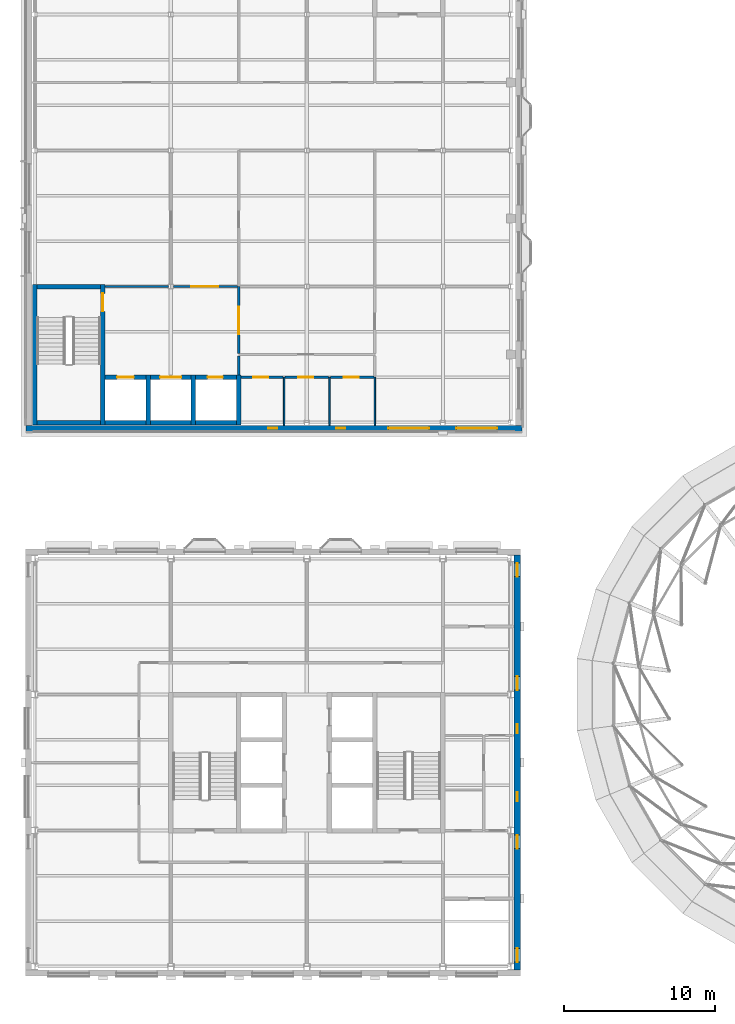
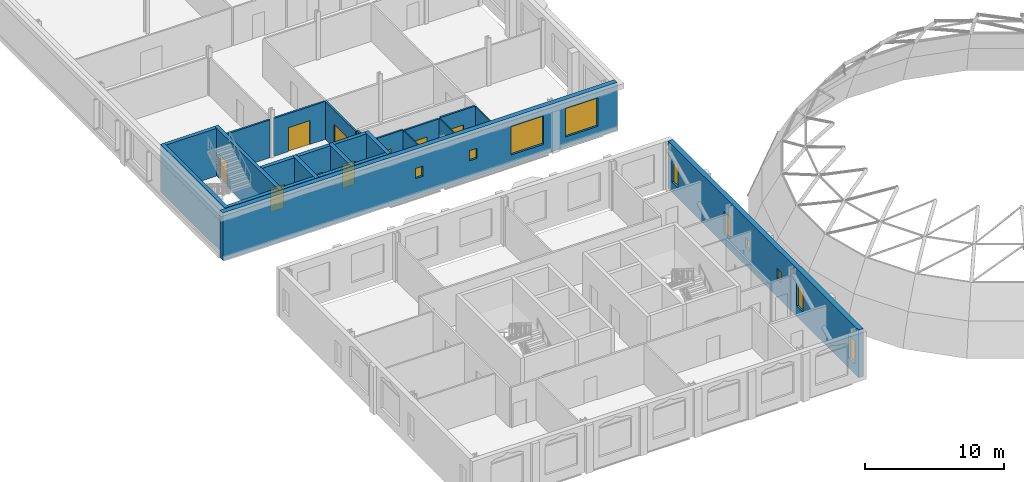
# One storey, part 35 of 62: 25 walls, 10 windows, 9 doors, 19 openings.
"""IFC4 building model written with IfcOpenShell, lengths in metres."""

from ifc_helpers import new_model, si_unit, direction, frame, frame_2d, origin, place, context, subcontext, project, spatial, rectangle, extrude, material, layer, layer_set, type_object, element, fill, save


model = new_model("IFC4")

# Units and contexts
model_context = context("Model", 3, precision=1e-05, world=origin(), true_north=direction((0.0, 1.0)))
body_context = subcontext(model_context, "Body", "Model", "MODEL_VIEW")
ifc_project = project(units=[si_unit("LENGTHUNIT", "METRE"), si_unit("AREAUNIT", "SQUARE_METRE"), si_unit("VOLUMEUNIT", "CUBIC_METRE"), si_unit("PLANEANGLEUNIT", "RADIAN"), si_unit("MASSUNIT", "GRAM", prefix="KILO")], contexts=[model_context])

# Site, building, storey
site_placement = place(None, origin())
site = spatial("IfcSite", under=ifc_project, at=site_placement, CompositionType="ELEMENT")
building_placement = place(site_placement, origin())
building = spatial("IfcBuilding", under=site, at=building_placement, Name="Hortulan Conservatory and Botanical Research Centre", CompositionType="ELEMENT")
storey_placement = place(building_placement, frame((0.0, 0.0, 15.0)))
storey = spatial("IfcBuildingStorey", under=building, at=storey_placement, Name="L03", CompositionType="ELEMENT", Elevation=15.0)

# Wall
ifc_material_1 = material(Name="Concrete N40 (40 MPa, AS 3600)", Category="concrete")
ifc_layer_1 = layer(ifc_material_1, 0.300048828125)
ifc_layer_set_1 = layer_set([ifc_layer_1], Name="Core Wall 300 N40 FRL 180/120/120")
wall_type_1 = type_object("IfcWallType", Name="Core Wall 300 N40 FRL 180/120/120", PredefinedType="SHEAR", material=ifc_layer_set_1)
wall_1_placement = place(storey_placement, frame((0.0, 35.85009765625, 0.0), z_axis=(0.0, 0.0, 1.0), x_axis=(0.0, 1.0, 0.0)))
element("IfcWall", 1, at=wall_1_placement, inside=storey, type_object=wall_type_1, Name="Reinforced concrete shaft wall", PredefinedType="SHEAR", context=body_context, shape_type="SweptSolid", body=[
    extrude(rectangle(XDim=9.2998046875, YDim=0.300048828125, at=frame_2d((4.64990234375, 0.0))), origin(), (0.0, 0.0, 1.0), 4.199951171875),
])

# Wall, opening, door
wall_2_placement = place(storey_placement, frame((4.5, 35.85009765625, 0.0), z_axis=(0.0, 0.0, 1.0), x_axis=(0.0, 1.0, 0.0)))
wall_2 = element("IfcWall", 2, at=wall_2_placement, inside=storey, type_object=wall_type_1, Name="Reinforced concrete shaft wall", PredefinedType="SHEAR", context=body_context, shape_type="SweptSolid", body=[
    extrude(rectangle(XDim=9.2998046875, YDim=0.300048828125, at=frame_2d((4.64990234375, 0.0))), origin(), (0.0, 0.0, 1.0), 4.199951171875),
])
opening_1_placement = place(wall_2_placement, frame((7.5, 0.0, 0.0)))
opening_1 = element("IfcOpeningElement", 3, at=opening_1_placement, cuts=wall_2, Name="Opening DT5", PredefinedType="OPENING", context=body_context, shape_type="SweptSolid", body=[
    extrude(rectangle(XDim=1.199951171875, YDim=2.10009765625, at=frame_2d((0.60009765625, 1.050048828125))), frame((0.0, 0.159912109375, 0.0), z_axis=(0.0, -1.0, 0.0), x_axis=(1.0, 0.0, 0.0)), (0.0, 0.0, 1.0), 0.320068359375),
])
ifc_material_2 = material(Name="Steel door leaf, insulated", Category="steel")
door_type_1 = type_object("IfcDoorType", Name="Stair Door 1200x2100 FRL -/120/30", OperationType="NOTDEFINED", PredefinedType="DOOR", material=ifc_material_2)
door_1_placement = place(opening_1_placement, origin())
door_1 = element("IfcDoor", 4, at=door_1_placement, inside=storey, type_object=door_type_1, Name="Door DT5 Exit Stair V1 to Lift Lobby", OperationType="SINGLE_SWING_LEFT", OverallHeight=2.10009765625, OverallWidth=1.199951171875, PredefinedType="DOOR", context=body_context, shape_type="SweptSolid", body=[
    extrude(rectangle(XDim=1.199951171875, YDim=2.10009765625, at=frame_2d((0.60009765625, 1.050048828125))), frame((0.0, 0.02490234375, 0.0), z_axis=(0.0, -1.0, 0.0), x_axis=(1.0, 0.0, 0.0)), (0.0, 0.0, 1.0), 0.050048828125),
])
fill(opening_1, door_1)

# Walls
for number, where, z_axis, x_axis, name in (
    (5, (7.5, 35.85009765625, 0.0), (0.0, 0.0, 1.0), (0.0, 1.0, 0.0), "Reinforced concrete shaft wall"),
    (6, (10.5, 35.85009765625, 0.0), (0.0, 0.0, 1.0), (0.0, 1.0, 0.0), "Reinforced concrete shaft wall"),
    (7, (13.5, 35.85009765625, 0.0), (0.0, 0.0, 1.0), (0.0, 1.0, 0.0), "Reinforced concrete shaft wall"),
):
    element("IfcWall", number, at=place(storey_placement, frame(where, z_axis=z_axis, x_axis=x_axis)), inside=storey, type_object=wall_type_1, Name=name, PredefinedType="SHEAR", context=body_context, shape_type="SweptSolid", body=[
        extrude(rectangle(XDim=3.2998046875, YDim=0.300048828125, at=frame_2d((1.64990234375, 0.0))), origin(), (0.0, 0.0, 1.0), 4.199951171875),
    ])
wall_3_placement = place(storey_placement, frame((0.14990234375, 36.0, 0.0), z_axis=(0.0, 0.0, 1.0), x_axis=(1.0, 0.0, 0.0)))
element("IfcWall", 8, at=wall_3_placement, inside=storey, type_object=wall_type_1, Name="Reinforced concrete shaft wall", PredefinedType="SHEAR", context=body_context, shape_type="SweptSolid", body=[
    extrude(rectangle(XDim=4.2001953125, YDim=0.300048828125, at=frame_2d((2.10009765625, 0.0))), origin(), (0.0, 0.0, 1.0), 4.199951171875),
])
for number, where, z_axis, x_axis, name in (
    (9, (4.64990234375, 36.0, 0.0), (0.0, 0.0, 1.0), (1.0, 0.0, 0.0), "Reinforced concrete shaft wall"),
    (10, (7.64990234375, 36.0, 0.0), (0.0, 0.0, 1.0), (1.0, 0.0, 0.0), "Reinforced concrete shaft wall"),
    (11, (10.64990234375, 36.0, 0.0), (0.0, 0.0, 1.0), (1.0, 0.0, 0.0), "Reinforced concrete shaft wall"),
):
    element("IfcWall", number, at=place(storey_placement, frame(where, z_axis=z_axis, x_axis=x_axis)), inside=storey, type_object=wall_type_1, Name=name, PredefinedType="SHEAR", context=body_context, shape_type="SweptSolid", body=[
        extrude(rectangle(XDim=2.7001953125, YDim=0.300048828125, at=frame_2d((1.35009765625, 0.0))), origin(), (0.0, 0.0, 1.0), 4.199951171875),
    ])

# Wall, opening, door
wall_4_placement = place(storey_placement, frame((4.64990234375, 39.0, 0.0), z_axis=(0.0, 0.0, 1.0), x_axis=(1.0, 0.0, 0.0)))
wall_4 = element("IfcWall", 12, at=wall_4_placement, inside=storey, type_object=wall_type_1, Name="Reinforced concrete shaft wall", PredefinedType="SHEAR", context=body_context, shape_type="SweptSolid", body=[
    extrude(rectangle(XDim=2.7001953125, YDim=0.300048828125, at=frame_2d((1.35009765625, 0.0))), origin(), (0.0, 0.0, 1.0), 4.199951171875),
])
opening_2_placement = place(wall_4_placement, frame((0.800048828125, 0.0, 0.0)))
opening_2 = element("IfcOpeningElement", 13, at=opening_2_placement, cuts=wall_4, Name="Opening LD1", PredefinedType="OPENING", context=body_context, shape_type="SweptSolid", body=[
    extrude(rectangle(XDim=1.10009765625, YDim=2.10009765625, at=frame_2d((0.550048828125, 1.050048828125))), frame((0.0, 0.159912109375, 0.0), z_axis=(0.0, -1.0, 0.0), x_axis=(1.0, 0.0, 0.0)), (0.0, 0.0, 1.0), 0.320068359375),
])
ifc_material_3 = material(Name="Stainless steel door leaves in steel frame", Category="steel")
door_type_2 = type_object("IfcDoorType", Name="Lift Landing Door 1100x2100", OperationType="DOUBLE_DOOR_SLIDING", PredefinedType="DOOR", material=ifc_material_3)
door_2_placement = place(opening_2_placement, origin())
door_2 = element("IfcDoor", 14, at=door_2_placement, inside=storey, type_object=door_type_2, Name="Lift LV1 landing door L03", OperationType="DOUBLE_DOOR_SLIDING", OverallHeight=2.10009765625, OverallWidth=1.10009765625, PredefinedType="DOOR", context=body_context, shape_type="SweptSolid", body=[
    extrude(rectangle(XDim=1.10009765625, YDim=2.10009765625, at=frame_2d((0.550048828125, 1.050048828125))), frame((0.0, 0.02490234375, 0.0), z_axis=(0.0, -1.0, 0.0), x_axis=(1.0, 0.0, 0.0)), (0.0, 0.0, 1.0), 0.050048828125),
])
fill(opening_2, door_2)

wall_5_placement = place(storey_placement, frame((7.64990234375, 39.0, 0.0), z_axis=(0.0, 0.0, 1.0), x_axis=(1.0, 0.0, 0.0)))
wall_5 = element("IfcWall", 15, at=wall_5_placement, inside=storey, type_object=wall_type_1, Name="Reinforced concrete shaft wall", PredefinedType="SHEAR", context=body_context, shape_type="SweptSolid", body=[
    extrude(rectangle(XDim=2.7001953125, YDim=0.300048828125, at=frame_2d((1.35009765625, 0.0))), origin(), (0.0, 0.0, 1.0), 4.199951171875),
])
opening_3_placement = place(wall_5_placement, frame((0.64990234375, 0.0, 0.0)))
opening_3 = element("IfcOpeningElement", 16, at=opening_3_placement, cuts=wall_5, Name="Opening LD2", PredefinedType="OPENING", context=body_context, shape_type="SweptSolid", body=[
    extrude(rectangle(XDim=1.39990234375, YDim=2.10009765625, at=frame_2d((0.699951171875, 1.050048828125))), frame((0.0, 0.159912109375, 0.0), z_axis=(0.0, -1.0, 0.0), x_axis=(1.0, 0.0, 0.0)), (0.0, 0.0, 1.0), 0.320068359375),
])
door_type_3 = type_object("IfcDoorType", Name="Lift Landing Door 1400x2100", OperationType="DOUBLE_DOOR_SLIDING", PredefinedType="DOOR", material=ifc_material_3)
door_3_placement = place(opening_3_placement, origin())
door_3 = element("IfcDoor", 17, at=door_3_placement, inside=storey, type_object=door_type_3, Name="Lift LV2 landing door L03", OperationType="DOUBLE_DOOR_SLIDING", OverallHeight=2.10009765625, OverallWidth=1.39990234375, PredefinedType="DOOR", context=body_context, shape_type="SweptSolid", body=[
    extrude(rectangle(XDim=1.39990234375, YDim=2.10009765625, at=frame_2d((0.699951171875, 1.050048828125))), frame((0.0, 0.02490234375, 0.0), z_axis=(0.0, -1.0, 0.0), x_axis=(1.0, 0.0, 0.0)), (0.0, 0.0, 1.0), 0.050048828125),
])
fill(opening_3, door_3)

wall_6_placement = place(storey_placement, frame((10.64990234375, 39.0, 0.0), z_axis=(0.0, 0.0, 1.0), x_axis=(1.0, 0.0, 0.0)))
wall_6 = element("IfcWall", 18, at=wall_6_placement, inside=storey, type_object=wall_type_1, Name="Reinforced concrete shaft wall", PredefinedType="SHEAR", context=body_context, shape_type="SweptSolid", body=[
    extrude(rectangle(XDim=2.7001953125, YDim=0.300048828125, at=frame_2d((1.35009765625, 0.0))), origin(), (0.0, 0.0, 1.0), 4.199951171875),
])
opening_4_placement = place(wall_6_placement, frame((0.788818359375, 0.0, 0.0)))
opening_4 = element("IfcOpeningElement", 19, at=opening_4_placement, cuts=wall_6, Name="Opening DT6", PredefinedType="OPENING", context=body_context, shape_type="SweptSolid", body=[
    extrude(rectangle(XDim=1.0, YDim=2.10009765625, at=frame_2d((0.5, 1.050048828125))), frame((0.0, 0.159912109375, 0.0), z_axis=(0.0, -1.0, 0.0), x_axis=(1.0, 0.0, 0.0)), (0.0, 0.0, 1.0), 0.320068359375),
])
door_type_4 = type_object("IfcDoorType", Name="Fire Door 1000x2100 FRL -/120/30", OperationType="NOTDEFINED", PredefinedType="DOOR", material=ifc_material_2)
door_4_placement = place(opening_4_placement, frame((1.0, 0.0, 0.0), z_axis=(0.0, 0.0, 1.0), x_axis=(-1.0, 0.0, 0.0)))
door_4 = element("IfcDoor", 20, at=door_4_placement, inside=storey, type_object=door_type_4, Name="Door DT6 Services Riser to Lift Lobby", OperationType="SINGLE_SWING_RIGHT", OverallHeight=2.10009765625, OverallWidth=1.0, PredefinedType="DOOR", context=body_context, shape_type="SweptSolid", body=[
    extrude(rectangle(XDim=1.0, YDim=2.10009765625, at=frame_2d((0.5, 1.050048828125))), frame((0.0, 0.02490234375, 0.0), z_axis=(0.0, -1.0, 0.0), x_axis=(1.0, 0.0, 0.0)), (0.0, 0.0, 1.0), 0.050048828125),
])
fill(opening_4, door_4)

# Wall
wall_7_placement = place(storey_placement, frame((0.14990234375, 45.0, 0.0), z_axis=(0.0, 0.0, 1.0), x_axis=(1.0, 0.0, 0.0)))
element("IfcWall", 21, at=wall_7_placement, inside=storey, type_object=wall_type_1, Name="Reinforced concrete shaft wall", PredefinedType="SHEAR", context=body_context, shape_type="SweptSolid", body=[
    extrude(rectangle(XDim=4.2001953125, YDim=0.300048828125, at=frame_2d((2.10009765625, 0.0))), origin(), (0.0, 0.0, 1.0), 4.199951171875),
])

# Wall, openings, windows
ifc_material_4 = material(Name="Faience-faced brickwork masonry", Category="masonry")
ifc_layer_2 = layer(ifc_material_4, 0.39990234375)
ifc_layer_set_2 = layer_set([ifc_layer_2], Name="Faience-faced Masonry Cavity Wall 400")
wall_type_2 = type_object("IfcWallType", Name="Faience-faced Masonry Cavity Wall 400", PredefinedType="STANDARD", material=ifc_layer_set_2)
wall_8_placement = place(storey_placement, frame((31.925048828125, 27.22509765625, 0.0), z_axis=(0.0, 0.0, 1.0), x_axis=(0.0, -1.0, 0.0)))
wall_8 = element("IfcWall", 22, at=wall_8_placement, inside=storey, type_object=wall_type_2, Name="E-EW-TW-L03-E4", PredefinedType="STANDARD", context=body_context, shape_type="SweptSolid", body=[
    extrude(rectangle(XDim=27.4501953125, YDim=0.39990234375, at=frame_2d((13.72509765625, 0.0))), origin(), (0.0, 0.0, 1.0), 4.199951171875),
])
opening_5_placement = place(wall_8_placement, frame((26.02490234375, 0.0, 0.89990234375)))
opening_5 = element("IfcOpeningElement", 23, at=opening_5_placement, cuts=wall_8, Name="Opening W5", PredefinedType="OPENING", context=body_context, shape_type="SweptSolid", body=[
    extrude(rectangle(XDim=0.89990234375, YDim=2.0, at=frame_2d((0.449951171875, 1.0))), frame((0.0, 0.2099609375, 0.0), z_axis=(0.0, -1.0, 0.0), x_axis=(1.0, 0.0, 0.0)), (0.0, 0.0, 1.0), 0.419921875),
])
opening_6_placement = place(wall_8_placement, frame((18.52490234375, 0.0, 0.89990234375)))
opening_6 = element("IfcOpeningElement", 24, at=opening_6_placement, cuts=wall_8, Name="Opening W5", PredefinedType="OPENING", context=body_context, shape_type="SweptSolid", body=[
    extrude(rectangle(XDim=0.89990234375, YDim=2.0, at=frame_2d((0.449951171875, 1.0))), frame((0.0, 0.2099609375, 0.0), z_axis=(0.0, -1.0, 0.0), x_axis=(1.0, 0.0, 0.0)), (0.0, 0.0, 1.0), 0.419921875),
])
opening_7_placement = place(wall_8_placement, frame((15.675048828125, 0.0, 1.60009765625)))
opening_7 = element("IfcOpeningElement", 25, at=opening_7_placement, cuts=wall_8, Name="Opening W3", PredefinedType="OPENING", context=body_context, shape_type="SweptSolid", body=[
    extrude(rectangle(XDim=0.60009765625, YDim=0.89990234375, at=frame_2d((0.300048828125, 0.449951171875))), frame((0.0, 0.2099609375, 0.0), z_axis=(0.0, -1.0, 0.0), x_axis=(1.0, 0.0, 0.0)), (0.0, 0.0, 1.0), 0.419921875),
])
opening_8_placement = place(wall_8_placement, frame((11.175048828125, 0.0, 1.60009765625)))
opening_8 = element("IfcOpeningElement", 26, at=opening_8_placement, cuts=wall_8, Name="Opening W3", PredefinedType="OPENING", context=body_context, shape_type="SweptSolid", body=[
    extrude(rectangle(XDim=0.60009765625, YDim=0.89990234375, at=frame_2d((0.300048828125, 0.449951171875))), frame((0.0, 0.2099609375, 0.0), z_axis=(0.0, -1.0, 0.0), x_axis=(1.0, 0.0, 0.0)), (0.0, 0.0, 1.0), 0.419921875),
])
opening_9_placement = place(wall_8_placement, frame((8.02490234375, 0.0, 0.89990234375)))
opening_9 = element("IfcOpeningElement", 27, at=opening_9_placement, cuts=wall_8, Name="Opening W5", PredefinedType="OPENING", context=body_context, shape_type="SweptSolid", body=[
    extrude(rectangle(XDim=0.89990234375, YDim=2.0, at=frame_2d((0.449951171875, 1.0))), frame((0.0, 0.2099609375, 0.0), z_axis=(0.0, -1.0, 0.0), x_axis=(1.0, 0.0, 0.0)), (0.0, 0.0, 1.0), 0.419921875),
])
opening_10_placement = place(wall_8_placement, frame((0.52490234375, 0.0, 0.89990234375)))
opening_10 = element("IfcOpeningElement", 28, at=opening_10_placement, cuts=wall_8, Name="Opening W5", PredefinedType="OPENING", context=body_context, shape_type="SweptSolid", body=[
    extrude(rectangle(XDim=0.89990234375, YDim=2.0, at=frame_2d((0.449951171875, 1.0))), frame((0.0, 0.2099609375, 0.0), z_axis=(0.0, -1.0, 0.0), x_axis=(1.0, 0.0, 0.0)), (0.0, 0.0, 1.0), 0.419921875),
])
ifc_material_5 = material(Name="Bronze-finished aluminium frame with low-e laminated double glazing", Category="aluminium")
window_type_1 = type_object("IfcWindowType", Name="Faience Pier Window 900x2000", PartitioningType="SINGLE_PANEL", PredefinedType="WINDOW", material=ifc_material_5)
window_1_placement = place(opening_5_placement, origin())
window_1 = element("IfcWindow", 29, at=window_1_placement, inside=storey, type_object=window_type_1, Name="Faience Pier window", OverallHeight=2.0, OverallWidth=0.89990234375, PartitioningType="SINGLE_PANEL", PredefinedType="WINDOW", context=body_context, shape_type="SweptSolid", body=[
    extrude(rectangle(XDim=0.89990234375, YDim=2.0, at=frame_2d((0.449951171875, 1.0))), frame((0.0, 0.030029296875, 0.0), z_axis=(0.0, -1.0, 0.0), x_axis=(1.0, 0.0, 0.0)), (0.0, 0.0, 1.0), 0.06005859375),
])
fill(opening_5, window_1)
window_2_placement = place(opening_6_placement, origin())
window_2 = element("IfcWindow", 30, at=window_2_placement, inside=storey, type_object=window_type_1, Name="Faience Pier window", OverallHeight=2.0, OverallWidth=0.89990234375, PartitioningType="SINGLE_PANEL", PredefinedType="WINDOW", context=body_context, shape_type="SweptSolid", body=[
    extrude(rectangle(XDim=0.89990234375, YDim=2.0, at=frame_2d((0.449951171875, 1.0))), frame((0.0, 0.030029296875, 0.0), z_axis=(0.0, -1.0, 0.0), x_axis=(1.0, 0.0, 0.0)), (0.0, 0.0, 1.0), 0.06005859375),
])
fill(opening_6, window_2)
window_3_placement = place(opening_9_placement, origin())
window_3 = element("IfcWindow", 31, at=window_3_placement, inside=storey, type_object=window_type_1, Name="Faience Pier window", OverallHeight=2.0, OverallWidth=0.89990234375, PartitioningType="SINGLE_PANEL", PredefinedType="WINDOW", context=body_context, shape_type="SweptSolid", body=[
    extrude(rectangle(XDim=0.89990234375, YDim=2.0, at=frame_2d((0.449951171875, 1.0))), frame((0.0, 0.030029296875, 0.0), z_axis=(0.0, -1.0, 0.0), x_axis=(1.0, 0.0, 0.0)), (0.0, 0.0, 1.0), 0.06005859375),
])
fill(opening_9, window_3)
window_4_placement = place(opening_10_placement, origin())
window_4 = element("IfcWindow", 32, at=window_4_placement, inside=storey, type_object=window_type_1, Name="Faience Pier window", OverallHeight=2.0, OverallWidth=0.89990234375, PartitioningType="SINGLE_PANEL", PredefinedType="WINDOW", context=body_context, shape_type="SweptSolid", body=[
    extrude(rectangle(XDim=0.89990234375, YDim=2.0, at=frame_2d((0.449951171875, 1.0))), frame((0.0, 0.030029296875, 0.0), z_axis=(0.0, -1.0, 0.0), x_axis=(1.0, 0.0, 0.0)), (0.0, 0.0, 1.0), 0.06005859375),
])
fill(opening_10, window_4)
window_type_2 = type_object("IfcWindowType", Name="Slot Window 600x900", PartitioningType="SINGLE_PANEL", PredefinedType="WINDOW", material=ifc_material_5)
window_5_placement = place(opening_7_placement, origin())
window_5 = element("IfcWindow", 33, at=window_5_placement, inside=storey, type_object=window_type_2, Name="Slot window", OverallHeight=0.89990234375, OverallWidth=0.60009765625, PartitioningType="SINGLE_PANEL", PredefinedType="WINDOW", context=body_context, shape_type="SweptSolid", body=[
    extrude(rectangle(XDim=0.60009765625, YDim=0.89990234375, at=frame_2d((0.300048828125, 0.449951171875))), frame((0.0, 0.030029296875, 0.0), z_axis=(0.0, -1.0, 0.0), x_axis=(1.0, 0.0, 0.0)), (0.0, 0.0, 1.0), 0.06005859375),
])
fill(opening_7, window_5)
window_6_placement = place(opening_8_placement, origin())
window_6 = element("IfcWindow", 34, at=window_6_placement, inside=storey, type_object=window_type_2, Name="Slot window", OverallHeight=0.89990234375, OverallWidth=0.60009765625, PartitioningType="SINGLE_PANEL", PredefinedType="WINDOW", context=body_context, shape_type="SweptSolid", body=[
    extrude(rectangle(XDim=0.60009765625, YDim=0.89990234375, at=frame_2d((0.300048828125, 0.449951171875))), frame((0.0, 0.030029296875, 0.0), z_axis=(0.0, -1.0, 0.0), x_axis=(1.0, 0.0, 0.0)), (0.0, 0.0, 1.0), 0.06005859375),
])
fill(opening_8, window_6)

wall_9_placement = place(storey_placement, frame((32.22509765625, 35.614501953125, 0.0), z_axis=(0.0, 0.0, 1.0), x_axis=(-1.0, 0.0, 0.0)))
wall_9 = element("IfcWall", 35, at=wall_9_placement, inside=storey, type_object=wall_type_2, Name="E-EW-VC-L03-S1", PredefinedType="STANDARD", context=body_context, shape_type="SweptSolid", body=[
    extrude(rectangle(XDim=32.8046875, YDim=0.39990234375, at=frame_2d((16.40234375, 0.0))), origin(), (0.0, 0.0, 1.0), 4.199951171875),
])
opening_11_placement = place(wall_9_placement, frame((16.175048828125, 0.0, 1.60009765625)))
opening_11 = element("IfcOpeningElement", 36, at=opening_11_placement, cuts=wall_9, Name="Opening W3", PredefinedType="OPENING", context=body_context, shape_type="SweptSolid", body=[
    extrude(rectangle(XDim=0.60009765625, YDim=0.89990234375, at=frame_2d((0.300048828125, 0.449951171875))), frame((0.0, 0.2099609375, 0.0), z_axis=(0.0, -1.0, 0.0), x_axis=(1.0, 0.0, 0.0)), (0.0, 0.0, 1.0), 0.419921875),
])
opening_12_placement = place(wall_9_placement, frame((11.675048828125, 0.0, 1.60009765625)))
opening_12 = element("IfcOpeningElement", 37, at=opening_12_placement, cuts=wall_9, Name="Opening W3", PredefinedType="OPENING", context=body_context, shape_type="SweptSolid", body=[
    extrude(rectangle(XDim=0.60009765625, YDim=0.89990234375, at=frame_2d((0.300048828125, 0.449951171875))), frame((0.0, 0.2099609375, 0.0), z_axis=(0.0, -1.0, 0.0), x_axis=(1.0, 0.0, 0.0)), (0.0, 0.0, 1.0), 0.419921875),
])
opening_13_placement = place(wall_9_placement, frame((6.125, 0.0, 0.89990234375)))
opening_13 = element("IfcOpeningElement", 38, at=opening_13_placement, cuts=wall_9, Name="Opening W4", PredefinedType="OPENING", context=body_context, shape_type="SweptSolid", body=[
    extrude(rectangle(XDim=2.699951171875, YDim=2.5, at=frame_2d((1.35009765625, 1.25))), frame((0.0, 0.2099609375, 0.0), z_axis=(0.0, -1.0, 0.0), x_axis=(1.0, 0.0, 0.0)), (0.0, 0.0, 1.0), 0.419921875),
])
opening_14_placement = place(wall_9_placement, frame((1.625, 0.0, 0.89990234375)))
opening_14 = element("IfcOpeningElement", 39, at=opening_14_placement, cuts=wall_9, Name="Opening W4", PredefinedType="OPENING", context=body_context, shape_type="SweptSolid", body=[
    extrude(rectangle(XDim=2.699951171875, YDim=2.5, at=frame_2d((1.35009765625, 1.25))), frame((0.0, 0.2099609375, 0.0), z_axis=(0.0, -1.0, 0.0), x_axis=(1.0, 0.0, 0.0)), (0.0, 0.0, 1.0), 0.419921875),
])
window_type_3 = type_object("IfcWindowType", Name="Faience Window 2700x2500", PartitioningType="SINGLE_PANEL", PredefinedType="WINDOW", material=ifc_material_5)
window_7_placement = place(opening_13_placement, origin())
window_7 = element("IfcWindow", 40, at=window_7_placement, inside=storey, type_object=window_type_3, Name="Faience window", OverallHeight=2.5, OverallWidth=2.699951171875, PartitioningType="SINGLE_PANEL", PredefinedType="WINDOW", context=body_context, shape_type="SweptSolid", body=[
    extrude(rectangle(XDim=2.699951171875, YDim=2.5, at=frame_2d((1.35009765625, 1.25))), frame((0.0, 0.030029296875, 0.0), z_axis=(0.0, -1.0, 0.0), x_axis=(1.0, 0.0, 0.0)), (0.0, 0.0, 1.0), 0.06005859375),
])
fill(opening_13, window_7)
window_8_placement = place(opening_14_placement, origin())
window_8 = element("IfcWindow", 41, at=window_8_placement, inside=storey, type_object=window_type_3, Name="Faience window", OverallHeight=2.5, OverallWidth=2.699951171875, PartitioningType="SINGLE_PANEL", PredefinedType="WINDOW", context=body_context, shape_type="SweptSolid", body=[
    extrude(rectangle(XDim=2.699951171875, YDim=2.5, at=frame_2d((1.35009765625, 1.25))), frame((0.0, 0.030029296875, 0.0), z_axis=(0.0, -1.0, 0.0), x_axis=(1.0, 0.0, 0.0)), (0.0, 0.0, 1.0), 0.06005859375),
])
fill(opening_14, window_8)
window_9_placement = place(opening_11_placement, origin())
window_9 = element("IfcWindow", 42, at=window_9_placement, inside=storey, type_object=window_type_2, Name="Slot window", OverallHeight=0.89990234375, OverallWidth=0.60009765625, PartitioningType="SINGLE_PANEL", PredefinedType="WINDOW", context=body_context, shape_type="SweptSolid", body=[
    extrude(rectangle(XDim=0.60009765625, YDim=0.89990234375, at=frame_2d((0.300048828125, 0.449951171875))), frame((0.0, 0.030029296875, 0.0), z_axis=(0.0, -1.0, 0.0), x_axis=(1.0, 0.0, 0.0)), (0.0, 0.0, 1.0), 0.06005859375),
])
fill(opening_11, window_9)
window_10_placement = place(opening_12_placement, origin())
window_10 = element("IfcWindow", 43, at=window_10_placement, inside=storey, type_object=window_type_2, Name="Slot window", OverallHeight=0.89990234375, OverallWidth=0.60009765625, PartitioningType="SINGLE_PANEL", PredefinedType="WINDOW", context=body_context, shape_type="SweptSolid", body=[
    extrude(rectangle(XDim=0.60009765625, YDim=0.89990234375, at=frame_2d((0.300048828125, 0.449951171875))), frame((0.0, 0.030029296875, 0.0), z_axis=(0.0, -1.0, 0.0), x_axis=(1.0, 0.0, 0.0)), (0.0, 0.0, 1.0), 0.06005859375),
])
fill(opening_12, window_10)

# Wall
ifc_material_6 = material(Name="Fire-rated plasterboard on steel studs", Category="steel")
ifc_layer_3 = layer(ifc_material_6, 0.14990234375)
ifc_layer_set_3 = layer_set([ifc_layer_3], Name="Lobby Partition 150")
wall_type_3 = type_object("IfcWallType", Name="Lobby Partition 150", PredefinedType="PARTITIONING", material=ifc_layer_set_3)
wall_10_placement = place(storey_placement, frame((13.5, 39.159912109375, 0.0), z_axis=(0.0, 0.0, 1.0), x_axis=(0.0, 1.0, 0.0)))
element("IfcWall", 44, at=wall_10_placement, inside=storey, type_object=wall_type_3, Name="Partition Lift Lobby and WC Lobby L03", PredefinedType="PARTITIONING", context=body_context, shape_type="SweptSolid", body=[
    extrude(rectangle(XDim=1.255126953125, YDim=0.14990234375, at=frame_2d((0.62744140625, 0.0))), origin(), (0.0, 0.0, 1.0), 3.537109375),
])

# Wall, opening, door
wall_11_placement = place(storey_placement, frame((13.5, 40.5849609375, 0.0), z_axis=(0.0, 0.0, 1.0), x_axis=(0.0, 1.0, 0.0)))
wall_11 = element("IfcWall", 45, at=wall_11_placement, inside=storey, type_object=wall_type_3, Name="Partition Lift Lobby and Community Foyer L03", PredefinedType="PARTITIONING", context=body_context, shape_type="SweptSolid", body=[
    extrude(rectangle(XDim=4.405029296875, YDim=0.14990234375, at=frame_2d((2.20263671875, 0.0))), origin(), (0.0, 0.0, 1.0), 3.337890625),
])
opening_15_placement = place(wall_11_placement, frame((1.264892578125, 0.0, 0.0)))
opening_15 = element("IfcOpeningElement", 46, at=opening_15_placement, cuts=wall_11, Name="Opening DT8", PredefinedType="OPENING", context=body_context, shape_type="SweptSolid", body=[
    extrude(rectangle(XDim=1.800048828125, YDim=2.10009765625, at=frame_2d((0.89990234375, 1.050048828125))), frame((0.0, 0.0849609375, 0.0), z_axis=(0.0, -1.0, 0.0), x_axis=(1.0, 0.0, 0.0)), (0.0, 0.0, 1.0), 0.169921875),
])
door_type_5 = type_object("IfcDoorType", Name="Lobby Double Door 1800x2100 FRL -/60/30", OperationType="DOUBLE_DOOR_SINGLE_SWING", PredefinedType="DOOR", material=ifc_material_2)
door_5_placement = place(opening_15_placement, frame((1.800048828125, 0.0, 0.0), z_axis=(0.0, 0.0, 1.0), x_axis=(-1.0, 0.0, 0.0)))
door_5 = element("IfcDoor", 47, at=door_5_placement, inside=storey, type_object=door_type_5, Name="Door DT8 Lift Lobby to Community Foyer", OperationType="DOUBLE_DOOR_SINGLE_SWING", OverallHeight=2.10009765625, OverallWidth=1.800048828125, PredefinedType="DOOR", context=body_context, shape_type="SweptSolid", body=[
    extrude(rectangle(XDim=1.800048828125, YDim=2.10009765625, at=frame_2d((0.89990234375, 1.050048828125))), frame((0.0, 0.02490234375, 0.0), z_axis=(0.0, -1.0, 0.0), x_axis=(1.0, 0.0, 0.0)), (0.0, 0.0, 1.0), 0.050048828125),
])
fill(opening_15, door_5)

wall_12_placement = place(storey_placement, frame((13.659912109375, 39.0, 0.0), z_axis=(0.0, 0.0, 1.0), x_axis=(1.0, 0.0, 0.0)))
wall_12 = element("IfcWall", 48, at=wall_12_placement, inside=storey, type_object=wall_type_3, Name="Partition Accessible WC and WC Lobby L03", PredefinedType="PARTITIONING", context=body_context, shape_type="SweptSolid", body=[
    extrude(rectangle(XDim=2.780029296875, YDim=0.14990234375, at=frame_2d((1.39013671875, 0.0))), origin(), (0.0, 0.0, 1.0), 3.422119140625),
])
opening_16_placement = place(wall_12_placement, frame((0.77880859375, 0.0, 0.0)))
opening_16 = element("IfcOpeningElement", 49, at=opening_16_placement, cuts=wall_12, Name="Opening DT4", PredefinedType="OPENING", context=body_context, shape_type="SweptSolid", body=[
    extrude(rectangle(XDim=1.0, YDim=2.10009765625, at=frame_2d((0.5, 1.050048828125))), frame((0.0, 0.0849609375, 0.0), z_axis=(0.0, -1.0, 0.0), x_axis=(1.0, 0.0, 0.0)), (0.0, 0.0, 1.0), 0.169921875),
])
door_type_6 = type_object("IfcDoorType", Name="Fire Door 1000x2100 FRL -/60/30", OperationType="NOTDEFINED", PredefinedType="DOOR", material=ifc_material_2)
door_6_placement = place(opening_16_placement, frame((1.0, 0.0, 0.0), z_axis=(0.0, 0.0, 1.0), x_axis=(-1.0, 0.0, 0.0)))
door_6 = element("IfcDoor", 50, at=door_6_placement, inside=storey, type_object=door_type_6, Name="Door DT4 Accessible WC to WC Lobby", OperationType="SINGLE_SWING_RIGHT", OverallHeight=2.10009765625, OverallWidth=1.0, PredefinedType="DOOR", context=body_context, shape_type="SweptSolid", body=[
    extrude(rectangle(XDim=1.0, YDim=2.10009765625, at=frame_2d((0.5, 1.050048828125))), frame((0.0, 0.02490234375, 0.0), z_axis=(0.0, -1.0, 0.0), x_axis=(1.0, 0.0, 0.0)), (0.0, 0.0, 1.0), 0.050048828125),
])
fill(opening_16, door_6)

wall_13_placement = place(storey_placement, frame((16.56005859375, 39.0, 0.0), z_axis=(0.0, 0.0, 1.0), x_axis=(1.0, 0.0, 0.0)))
wall_13 = element("IfcWall", 51, at=wall_13_placement, inside=storey, type_object=wall_type_3, Name="Partition Women's WC and WC Lobby L03", PredefinedType="PARTITIONING", context=body_context, shape_type="SweptSolid", body=[
    extrude(rectangle(XDim=2.8798828125, YDim=0.14990234375, at=frame_2d((1.43994140625, 0.0))), origin(), (0.0, 0.0, 1.0), 3.337890625),
])
opening_17_placement = place(wall_13_placement, frame((0.87890625, 0.0, 0.0)))
opening_17 = element("IfcOpeningElement", 52, at=opening_17_placement, cuts=wall_13, Name="Opening DT4", PredefinedType="OPENING", context=body_context, shape_type="SweptSolid", body=[
    extrude(rectangle(XDim=1.0, YDim=2.10009765625, at=frame_2d((0.5, 1.050048828125))), frame((0.0, 0.0849609375, 0.0), z_axis=(0.0, -1.0, 0.0), x_axis=(1.0, 0.0, 0.0)), (0.0, 0.0, 1.0), 0.169921875),
])
door_7_placement = place(opening_17_placement, frame((1.0, 0.0, 0.0), z_axis=(0.0, 0.0, 1.0), x_axis=(-1.0, 0.0, 0.0)))
door_7 = element("IfcDoor", 53, at=door_7_placement, inside=storey, type_object=door_type_6, Name="Door DT4 Women's WC to WC Lobby", OperationType="SINGLE_SWING_RIGHT", OverallHeight=2.10009765625, OverallWidth=1.0, PredefinedType="DOOR", context=body_context, shape_type="SweptSolid", body=[
    extrude(rectangle(XDim=1.0, YDim=2.10009765625, at=frame_2d((0.5, 1.050048828125))), frame((0.0, 0.02490234375, 0.0), z_axis=(0.0, -1.0, 0.0), x_axis=(1.0, 0.0, 0.0)), (0.0, 0.0, 1.0), 0.050048828125),
])
fill(opening_17, door_7)

wall_14_placement = place(storey_placement, frame((19.56005859375, 39.0, 0.0), z_axis=(0.0, 0.0, 1.0), x_axis=(1.0, 0.0, 0.0)))
wall_14 = element("IfcWall", 54, at=wall_14_placement, inside=storey, type_object=wall_type_3, Name="Partition Men's WC and WC Lobby L03", PredefinedType="PARTITIONING", context=body_context, shape_type="SweptSolid", body=[
    extrude(rectangle(XDim=2.8798828125, YDim=0.14990234375, at=frame_2d((1.43994140625, 0.0))), origin(), (0.0, 0.0, 1.0), 3.422119140625),
])
opening_18_placement = place(wall_14_placement, frame((0.87890625, 0.0, 0.0)))
opening_18 = element("IfcOpeningElement", 55, at=opening_18_placement, cuts=wall_14, Name="Opening DT4", PredefinedType="OPENING", context=body_context, shape_type="SweptSolid", body=[
    extrude(rectangle(XDim=1.0, YDim=2.10009765625, at=frame_2d((0.5, 1.050048828125))), frame((0.0, 0.0849609375, 0.0), z_axis=(0.0, -1.0, 0.0), x_axis=(1.0, 0.0, 0.0)), (0.0, 0.0, 1.0), 0.169921875),
])
door_8_placement = place(opening_18_placement, frame((1.0, 0.0, 0.0), z_axis=(0.0, 0.0, 1.0), x_axis=(-1.0, 0.0, 0.0)))
door_8 = element("IfcDoor", 56, at=door_8_placement, inside=storey, type_object=door_type_6, Name="Door DT4 Men's WC to WC Lobby", OperationType="SINGLE_SWING_RIGHT", OverallHeight=2.10009765625, OverallWidth=1.0, PredefinedType="DOOR", context=body_context, shape_type="SweptSolid", body=[
    extrude(rectangle(XDim=1.0, YDim=2.10009765625, at=frame_2d((0.5, 1.050048828125))), frame((0.0, 0.02490234375, 0.0), z_axis=(0.0, -1.0, 0.0), x_axis=(1.0, 0.0, 0.0)), (0.0, 0.0, 1.0), 0.050048828125),
])
fill(opening_18, door_8)

# Wall
wall_15_placement = place(storey_placement, frame((4.659912109375, 45.0, 0.0), z_axis=(0.0, 0.0, 1.0), x_axis=(1.0, 0.0, 0.0)))
element("IfcWall", 57, at=wall_15_placement, inside=storey, type_object=wall_type_3, Name="Partition Lift Lobby and Community Room 1 L03", PredefinedType="PARTITIONING", context=body_context, shape_type="SweptSolid", body=[
    extrude(rectangle(XDim=4.176513671875, YDim=0.14990234375, at=frame_2d((2.08837890625, 0.0))), origin(), (0.0, 0.0, 1.0), 3.337890625),
])

# Wall, opening, door
wall_16_placement = place(storey_placement, frame((9.16357421875, 45.0, 0.0), z_axis=(0.0, 0.0, 1.0), x_axis=(1.0, 0.0, 0.0)))
wall_16 = element("IfcWall", 58, at=wall_16_placement, inside=storey, type_object=wall_type_3, Name="Partition Lift Lobby and Corridor West L03", PredefinedType="PARTITIONING", context=body_context, shape_type="SweptSolid", body=[
    extrude(rectangle(XDim=4.261474609375, YDim=0.14990234375, at=frame_2d((2.130859375, 0.0))), origin(), (0.0, 0.0, 1.0), 3.337890625),
])
opening_19_placement = place(wall_16_placement, frame((1.1865234375, 0.0, 0.0)))
opening_19 = element("IfcOpeningElement", 59, at=opening_19_placement, cuts=wall_16, Name="Opening DT8", PredefinedType="OPENING", context=body_context, shape_type="SweptSolid", body=[
    extrude(rectangle(XDim=1.800048828125, YDim=2.10009765625, at=frame_2d((0.89990234375, 1.050048828125))), frame((0.0, 0.0849609375, 0.0), z_axis=(0.0, -1.0, 0.0), x_axis=(1.0, 0.0, 0.0)), (0.0, 0.0, 1.0), 0.169921875),
])
door_9_placement = place(opening_19_placement, origin())
door_9 = element("IfcDoor", 60, at=door_9_placement, inside=storey, type_object=door_type_5, Name="Door DT8 Lift Lobby to Corridor West", OperationType="DOUBLE_DOOR_SINGLE_SWING", OverallHeight=2.10009765625, OverallWidth=1.800048828125, PredefinedType="DOOR", context=body_context, shape_type="SweptSolid", body=[
    extrude(rectangle(XDim=1.800048828125, YDim=2.10009765625, at=frame_2d((0.89990234375, 1.050048828125))), frame((0.0, 0.02490234375, 0.0), z_axis=(0.0, -1.0, 0.0), x_axis=(1.0, 0.0, 0.0)), (0.0, 0.0, 1.0), 0.050048828125),
])
fill(opening_19, door_9)

# Walls
ifc_material_7 = material(Name="Moisture-resistant plasterboard on steel studs", Category="steel")
ifc_layer_4 = layer(ifc_material_7, 0.10009765625)
ifc_layer_set_4 = layer_set([ifc_layer_4], Name="Wet Area Partition 100")
wall_type_4 = type_object("IfcWallType", Name="Wet Area Partition 100", PredefinedType="PARTITIONING", material=ifc_layer_set_4)
for number, where, z_axis, x_axis, name in (
    (61, (16.5, 35.824462890625, 0.0), (0.0, 0.0, 1.0), (0.0, 1.0, 0.0), "Partition Accessible WC and Women's WC L03"),
    (62, (19.5, 35.824462890625, 0.0), (0.0, 0.0, 1.0), (0.0, 1.0, 0.0), "Partition Women's WC and Men's WC L03"),
    (63, (22.5, 35.824462890625, 0.0), (0.0, 0.0, 1.0), (0.0, 1.0, 0.0), "Partition Men's WC and Visitor Services Office 1 L03"),
):
    element("IfcWall", number, at=place(storey_placement, frame(where, z_axis=z_axis, x_axis=x_axis)), inside=storey, type_object=wall_type_4, Name=name, PredefinedType="PARTITIONING", context=body_context, shape_type="SweptSolid", body=[
        extrude(rectangle(XDim=3.175537109375, YDim=0.10009765625, at=frame_2d((1.587890625, 0.0))), origin(), (0.0, 0.0, 1.0), 3.343017578125),
    ])

save(model, "model.ifc")
